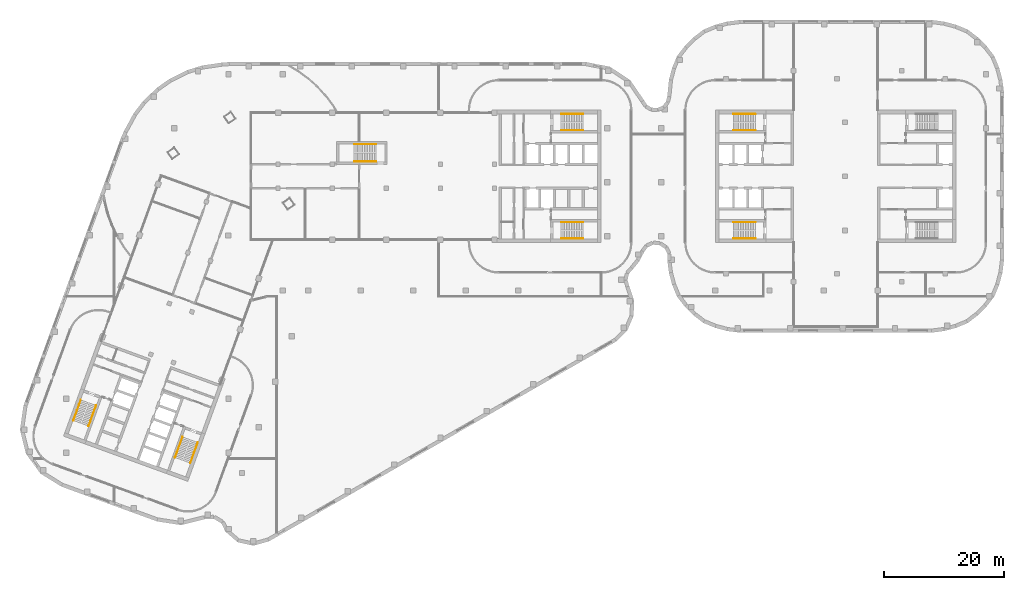
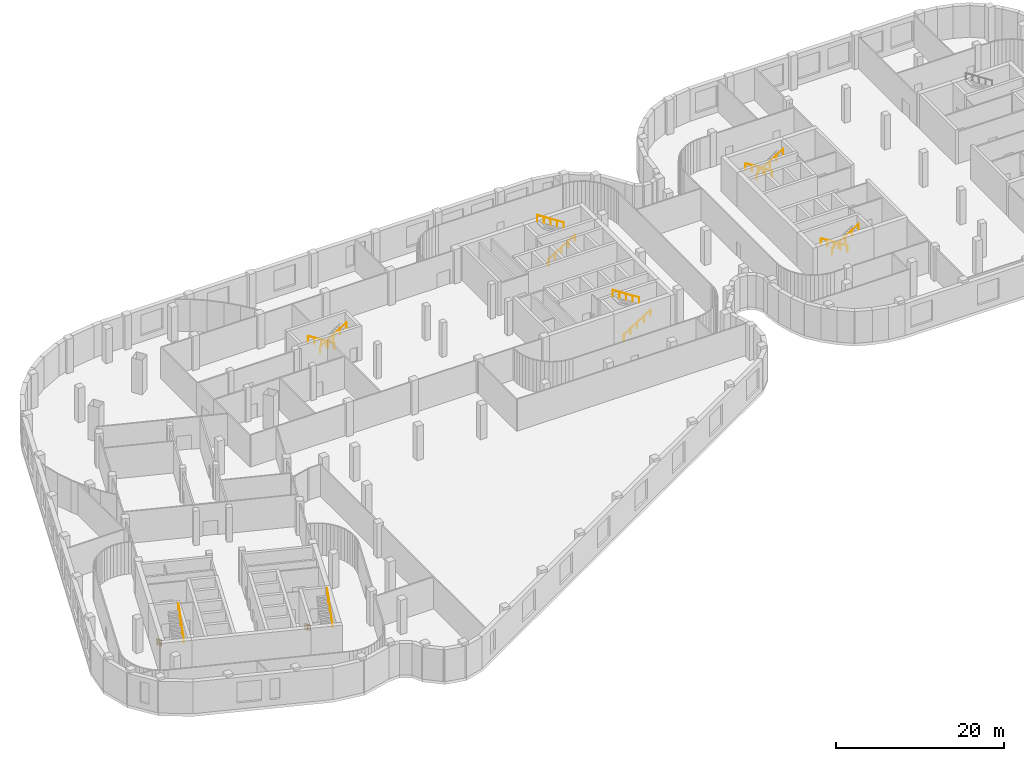
# One storey, part 17 of 18: 14 railings.
"""IFC4 building model written with IfcOpenShell, lengths in metres."""

import ifcopenshell
import ifcopenshell.guid

model = None  # the IFC model being written
_history = None  # IfcOwnerHistory: only IFC2X3 demands one
_inside = {}  # id of a spatial element -> (the spatial element, [elements in it])
_under = {}  # id of a project, library or spatial element -> (it, [spatial elements below it])
_declared = {}  # id of a project -> (the project, [libraries it declares])
_typed = {}  # id of a type object -> (the type object, [elements of that type])
_made_of = {}  # id of a material, layer set ... -> (it, [elements and type objects made of it])


def new_model(schema):
    """Start an empty IFC model of exactly this schema.

    Asked for "IFC4X3", IfcOpenShell would pick the latest addendum, in which some entities
    have other attributes; the version numbers below select the first issue.
    IFC2X3 requires an IfcOwnerHistory on every rooted entity: one is made here for all.
    """
    global model, _history
    if schema == "IFC4X3":
        model = ifcopenshell.file(schema_version=(4, 3, 0, 0))
    else:
        model = ifcopenshell.file(schema=schema)
    _inside.clear()
    _under.clear()
    _declared.clear()
    _typed.clear()
    _made_of.clear()
    _history = None
    if model.schema == "IFC2X3":
        org = make("IfcOrganization", Name="unknown")
        user = make(
            "IfcPersonAndOrganization",
            ThePerson=make("IfcPerson", FamilyName="unknown"),
            TheOrganization=org,
        )
        app = make(
            "IfcApplication",
            ApplicationDeveloper=org,
            Version="unknown",
            ApplicationFullName="unknown",
            ApplicationIdentifier="unknown",
        )
        _history = make(
            "IfcOwnerHistory",
            OwningUser=user,
            OwningApplication=app,
            ChangeAction="ADDED",
            CreationDate=0,
        )
    return model


def make(cls, **values):
    """One entity of the class cls with the attributes given. An attribute that is None is left unset."""
    return model.create_entity(
        cls, **{name: value for name, value in values.items() if value is not None}
    )


def rooted(cls, **values):
    """An entity with a GlobalId (a new one), such as an element, a storey or a relation."""
    return make(cls, GlobalId=ifcopenshell.guid.new(), OwnerHistory=_history, **values)


def si_unit(unit_type, name, prefix=None):
    """IfcSIUnit, for example si_unit("LENGTHUNIT", "METRE", prefix="MILLI")."""
    return make("IfcSIUnit", UnitType=unit_type, Prefix=prefix, Name=name)


def assignment(units):
    """IfcUnitAssignment: the units of a project."""
    return None if units is None else make("IfcUnitAssignment", Units=units)


def point(xyz):
    """IfcCartesianPoint."""
    return None if xyz is None else make("IfcCartesianPoint", Coordinates=xyz)


def direction(xyz):
    """IfcDirection."""
    return None if xyz is None else make("IfcDirection", DirectionRatios=xyz)


def frame(location, z_axis=None, x_axis=None):
    """IfcAxis2Placement3D, a coordinate frame: its origin and axes. An axis left out is left unset."""
    return make(
        "IfcAxis2Placement3D",
        Location=point(location),
        Axis=direction(z_axis),
        RefDirection=direction(x_axis),
    )


def frame_2d(location, x_axis=None):
    """IfcAxis2Placement2D, a coordinate frame in the plane: its origin and x axis."""
    return make(
        "IfcAxis2Placement2D", Location=point(location), RefDirection=direction(x_axis)
    )


def origin():
    """The frame at (0, 0, 0) with its axes left unset."""
    return frame((0.0, 0.0, 0.0))


def origin_2d():
    """The frame at (0, 0) in the plane with its x axis left unset."""
    return frame_2d((0.0, 0.0))


def place(relative_to, where):
    """IfcLocalPlacement: puts the frame where relative to a parent placement (None: the world)."""
    return make(
        "IfcLocalPlacement", PlacementRelTo=relative_to, RelativePlacement=where
    )


def context(
    kind, dimensions, precision=None, world=None, true_north=None, identifier=None
):
    """IfcGeometricRepresentationContext, for example the 3D "Model" context."""
    return make(
        "IfcGeometricRepresentationContext",
        ContextIdentifier=identifier,
        ContextType=kind,
        CoordinateSpaceDimension=dimensions,
        Precision=precision,
        WorldCoordinateSystem=world,
        TrueNorth=true_north,
    )


def subcontext(parent, identifier, kind, view, scale=None):
    """IfcGeometricRepresentationSubContext, for example "Body" below "Model"."""
    return make(
        "IfcGeometricRepresentationSubContext",
        ContextIdentifier=identifier,
        ContextType=kind,
        ParentContext=parent,
        TargetScale=scale,
        TargetView=view,
    )


def project(units=None, contexts=None):
    """IfcProject with its units and contexts."""
    return rooted(
        "IfcProject",
        Name="project",
        RepresentationContexts=contexts,
        UnitsInContext=assignment(units),
    )


def spatial(cls, under=None, at=None, **own):
    """A site, building, storey or space (cls), placed at a placement, below another one or the project."""
    s = rooted(cls, ObjectPlacement=at, **own)
    if under is not None:
        _under.setdefault(under.id(), (under, []))[1].append(s)
    return s


def profile(cls, at=None, kind="AREA", **sizes):
    """A parametric profile (cls). Its sizes go by their IFC names, for example OverallWidth=200.0."""
    return make(cls, ProfileType=kind, Position=at, **sizes)


def circle(**sizes):
    """IfcCircleProfileDef."""
    return profile("IfcCircleProfileDef", **sizes)


def extrude(swept, where, along, depth):
    """IfcExtrudedAreaSolid: the profile swept, set in the frame where, extruded along a direction by depth."""
    return make(
        "IfcExtrudedAreaSolid",
        SweptArea=swept,
        Position=where,
        ExtrudedDirection=direction(along),
        Depth=depth,
    )


def shape(context_of_items, identifier, shape_type, items):
    """IfcShapeRepresentation: the items that make up one representation, for example the "Body"."""
    return make(
        "IfcShapeRepresentation",
        ContextOfItems=context_of_items,
        RepresentationIdentifier=identifier,
        RepresentationType=shape_type,
        Items=items,
    )


def material(Name=None, Category=None):
    """IfcMaterial."""
    return make("IfcMaterial", Name=Name, Category=Category)


def made_of(thing, what):
    """Note that an element or type object is made of a material, layer set ...; save() writes the relation."""
    if what is not None:
        _made_of.setdefault(what.id(), (what, []))[1].append(thing)
    return thing


def type_object(cls, material=None, **own):
    """A type object (cls), such as IfcWallType, which elements share."""
    return made_of(rooted(cls, **own), material)


def element(
    cls,
    number,
    at=None,
    inside=None,
    cuts=None,
    type_object=None,
    material=None,
    context=None,
    identifier="Body",
    shape_type=None,
    held_by="IfcProductDefinitionShape",
    body=None,
    shapes=None,
    **own,
):
    """One element of the class cls, such as IfcWall. Its Tag is "e" and its number.

    at: its placement. inside: the storey or other place that contains it. cuts: it is an
    opening in that element (IfcRelVoidsElement). A single representation is given by context,
    identifier, shape_type and body (its items); several are given by shapes. held_by: the class
    of the entity that holds the representations. save() writes the other relations.
    """
    e = rooted(cls, Tag="e%d" % number, ObjectPlacement=at, **own)
    if body is not None:
        shapes = [shape(context, identifier, shape_type, body)]
    if shapes is not None:
        e.Representation = make(held_by, Representations=shapes)
    if inside is not None:
        _inside.setdefault(inside.id(), (inside, []))[1].append(e)
    if cuts is not None:
        rooted(
            "IfcRelVoidsElement", RelatingBuildingElement=cuts, RelatedOpeningElement=e
        )
    if type_object is not None:
        _typed.setdefault(type_object.id(), (type_object, []))[1].append(e)
    return made_of(e, material)


def aggregate(whole, parts):
    """IfcRelAggregates: a whole, such as a stair, and the parts it consists of."""
    return rooted("IfcRelAggregates", RelatingObject=whole, RelatedObjects=parts)


def save(model, path):
    """Write the relations noted so far, then the file.

    IfcRelAggregates (storeys below a building ...), IfcRelContainedInSpatialStructure (elements
    in a storey), IfcRelDefinesByType, IfcRelAssociatesMaterial and IfcRelDeclares: one each for
    every whole, place, type object, material and project.
    """
    for whole, parts in _under.values():
        aggregate(whole, parts)
    for where, things in _inside.values():
        rooted(
            "IfcRelContainedInSpatialStructure",
            RelatedElements=things,
            RelatingStructure=where,
        )
    for kind, things in _typed.values():
        rooted("IfcRelDefinesByType", RelatedObjects=things, RelatingType=kind)
    for what, things in _made_of.values():
        rooted("IfcRelAssociatesMaterial", RelatedObjects=things, RelatingMaterial=what)
    for by, libraries in _declared.values():
        rooted("IfcRelDeclares", RelatingContext=by, RelatedDefinitions=libraries)
    model.write(path)


model = new_model("IFC4")

# Units and contexts
model_context = context("Model", 3, precision=1e-05, world=origin(), true_north=direction((0.0, 1.0)))
body_context = subcontext(model_context, "Body", "Model", "MODEL_VIEW")
ifc_project = project(units=[si_unit("LENGTHUNIT", "METRE"), si_unit("AREAUNIT", "SQUARE_METRE"), si_unit("VOLUMEUNIT", "CUBIC_METRE"), si_unit("PLANEANGLEUNIT", "RADIAN"), si_unit("MASSUNIT", "GRAM", prefix="KILO")], contexts=[model_context])

# Site, building, storey
site_placement = place(None, origin())
site = spatial("IfcSite", under=ifc_project, at=site_placement, CompositionType="ELEMENT")
building_placement = place(site_placement, origin())
building = spatial("IfcBuilding", under=site, at=building_placement, Name="Skarvind Civic Tower", CompositionType="ELEMENT")
storey_placement = place(building_placement, frame((0.0, 0.0, 22.5)))
storey = spatial("IfcBuildingStorey", under=building, at=storey_placement, Name="L04", CompositionType="ELEMENT", Elevation=22.5)

# Railings
ifc_material = material(Name="Painted steel handrail", Category="steel")
railing_type = type_object("IfcRailingType", Name="Stair handrail 900", PredefinedType="HANDRAIL", material=ifc_material)
railing_1_placement = place(storey_placement, frame((101.35009765625, 135.64990234375, 0.178466796875)))
element("IfcRailing", 1, at=railing_1_placement, inside=storey, type_object=railing_type, Name="Stair handrail", PredefinedType="HANDRAIL", context=body_context, shape_type="SweptSolid", body=[
    extrude(circle(Radius=0.02392578125, at=origin_2d()), frame((0.0, 0.0, 0.8759765625), z_axis=(0.843111507901, 0.0, 0.53773877045), x_axis=(0.0, 1.0, 0.0)), (0.0, 0.0, 1.0), 4.317138671875),
    extrude(circle(Radius=0.02099609375, at=origin_2d()), origin(), (0.0, 0.0, 1.0), 0.851806640625),
    extrude(circle(Radius=0.02099609375, at=origin_2d()), frame((0.909912109375, 0.0, 0.580322265625)), (0.0, 0.0, 1.0), 0.851806640625),
    extrude(circle(Radius=0.02099609375, at=origin_2d()), frame((1.81982421875, 0.0, 1.16064453125)), (0.0, 0.0, 1.0), 0.851806640625),
    extrude(circle(Radius=0.02099609375, at=origin_2d()), frame((2.72998046875, 0.0, 1.7412109375)), (0.0, 0.0, 1.0), 0.851806640625),
    extrude(circle(Radius=0.02099609375, at=origin_2d()), frame((3.639892578125, 0.0, 2.321533203125)), (0.0, 0.0, 1.0), 0.851806640625),
])
railing_2_placement = place(storey_placement, frame((104.989990234375, 138.35009765625, 2.678466796875)))
element("IfcRailing", 2, at=railing_2_placement, inside=storey, type_object=railing_type, Name="Stair handrail", PredefinedType="HANDRAIL", context=body_context, shape_type="SweptSolid", body=[
    extrude(circle(Radius=0.02392578125, at=origin_2d()), frame((0.0, 0.0, 0.8759765625), z_axis=(-0.843111507901, 0.0, 0.53773877045), x_axis=(0.0, -1.0, 0.0)), (0.0, 0.0, 1.0), 4.317138671875),
    extrude(circle(Radius=0.02099609375, at=origin_2d()), origin(), (0.0, 0.0, 1.0), 0.851806640625),
    extrude(circle(Radius=0.02099609375, at=origin_2d()), frame((-0.909912109375, 0.0, 0.580322265625)), (0.0, 0.0, 1.0), 0.851806640625),
    extrude(circle(Radius=0.02099609375, at=origin_2d()), frame((-1.81982421875, 0.0, 1.16064453125)), (0.0, 0.0, 1.0), 0.851806640625),
    extrude(circle(Radius=0.02099609375, at=origin_2d()), frame((-2.72998046875, 0.0, 1.7412109375)), (0.0, 0.0, 1.0), 0.851806640625),
    extrude(circle(Radius=0.02099609375, at=origin_2d()), frame((-3.639892578125, 0.0, 2.321533203125)), (0.0, 0.0, 1.0), 0.851806640625),
])
railing_3_placement = place(storey_placement, frame((101.35009765625, 117.64990234375, 0.178466796875)))
element("IfcRailing", 3, at=railing_3_placement, inside=storey, type_object=railing_type, Name="Stair handrail", PredefinedType="HANDRAIL", context=body_context, shape_type="SweptSolid", body=[
    extrude(circle(Radius=0.02392578125, at=origin_2d()), frame((0.0, 0.0, 0.8759765625), z_axis=(0.843111507901, 0.0, 0.53773877045), x_axis=(0.0, 1.0, 0.0)), (0.0, 0.0, 1.0), 4.317138671875),
    extrude(circle(Radius=0.02099609375, at=origin_2d()), origin(), (0.0, 0.0, 1.0), 0.851806640625),
    extrude(circle(Radius=0.02099609375, at=origin_2d()), frame((0.909912109375, 0.0, 0.580322265625)), (0.0, 0.0, 1.0), 0.851806640625),
    extrude(circle(Radius=0.02099609375, at=origin_2d()), frame((1.81982421875, 0.0, 1.16064453125)), (0.0, 0.0, 1.0), 0.851806640625),
    extrude(circle(Radius=0.02099609375, at=origin_2d()), frame((2.72998046875, 0.0, 1.7412109375)), (0.0, 0.0, 1.0), 0.851806640625),
    extrude(circle(Radius=0.02099609375, at=origin_2d()), frame((3.639892578125, 0.0, 2.321533203125)), (0.0, 0.0, 1.0), 0.851806640625),
])
railing_4_placement = place(storey_placement, frame((104.989990234375, 120.35009765625, 2.678466796875)))
element("IfcRailing", 4, at=railing_4_placement, inside=storey, type_object=railing_type, Name="Stair handrail", PredefinedType="HANDRAIL", context=body_context, shape_type="SweptSolid", body=[
    extrude(circle(Radius=0.02392578125, at=origin_2d()), frame((0.0, 0.0, 0.8759765625), z_axis=(-0.843111507901, 0.0, 0.53773877045), x_axis=(0.0, -1.0, 0.0)), (0.0, 0.0, 1.0), 4.317138671875),
    extrude(circle(Radius=0.02099609375, at=origin_2d()), origin(), (0.0, 0.0, 1.0), 0.851806640625),
    extrude(circle(Radius=0.02099609375, at=origin_2d()), frame((-0.909912109375, 0.0, 0.580322265625)), (0.0, 0.0, 1.0), 0.851806640625),
    extrude(circle(Radius=0.02099609375, at=origin_2d()), frame((-1.81982421875, 0.0, 1.16064453125)), (0.0, 0.0, 1.0), 0.851806640625),
    extrude(circle(Radius=0.02099609375, at=origin_2d()), frame((-2.72998046875, 0.0, 1.7412109375)), (0.0, 0.0, 1.0), 0.851806640625),
    extrude(circle(Radius=0.02099609375, at=origin_2d()), frame((-3.639892578125, 0.0, 2.321533203125)), (0.0, 0.0, 1.0), 0.851806640625),
])
railing_5_placement = place(storey_placement, frame((38.362060546875, 84.64794921875, 0.178466796875)))
element("IfcRailing", 5, at=railing_5_placement, inside=storey, type_object=railing_type, Name="Stair handrail", PredefinedType="HANDRAIL", context=body_context, shape_type="SweptSolid", body=[
    extrude(circle(Radius=0.02392578125, at=origin_2d()), frame((0.0, 0.0, 0.8759765625), z_axis=(-0.288337369333, -0.792291602614, 0.537713285937), x_axis=(0.93970527225, -0.341985381714, 0.0)), (0.0, 0.0, 1.0), 4.3173828125),
    extrude(circle(Radius=0.02099609375, at=origin_2d()), origin(), (0.0, 0.0, 1.0), 0.851806640625),
    extrude(circle(Radius=0.02099609375, at=origin_2d()), frame((-0.311279296875, -0.855224609375, 0.580322265625)), (0.0, 0.0, 1.0), 0.851806640625),
    extrude(circle(Radius=0.02099609375, at=origin_2d()), frame((-0.62255859375, -1.71044921875, 1.16064453125)), (0.0, 0.0, 1.0), 0.851806640625),
    extrude(circle(Radius=0.02099609375, at=origin_2d()), frame((-0.93359375, -2.5654296875, 1.7412109375)), (0.0, 0.0, 1.0), 0.851806640625),
    extrude(circle(Radius=0.02099609375, at=origin_2d()), frame((-1.244873046875, -3.420654296875, 2.321533203125)), (0.0, 0.0, 1.0), 0.851806640625),
])
railing_6_placement = place(storey_placement, frame((39.654296875, 80.303955078125, 2.678466796875)))
element("IfcRailing", 6, at=railing_6_placement, inside=storey, type_object=railing_type, Name="Stair handrail", PredefinedType="HANDRAIL", context=body_context, shape_type="SweptSolid", body=[
    extrude(circle(Radius=0.02392578125, at=origin_2d()), frame((0.0, 0.0, 0.8759765625), z_axis=(0.288350287938, 0.792270549913, 0.537737377525), x_axis=(-0.939697427507, 0.342006936678, 0.0)), (0.0, 0.0, 1.0), 4.317138671875),
    extrude(circle(Radius=0.02099609375, at=origin_2d()), origin(), (0.0, 0.0, 1.0), 0.851806640625),
    extrude(circle(Radius=0.02099609375, at=origin_2d()), frame((0.311279296875, 0.85498046875, 0.580322265625)), (0.0, 0.0, 1.0), 0.851806640625),
    extrude(circle(Radius=0.02099609375, at=origin_2d()), frame((0.62255859375, 1.710205078125, 1.16064453125)), (0.0, 0.0, 1.0), 0.851806640625),
    extrude(circle(Radius=0.02099609375, at=origin_2d()), frame((0.93359375, 2.5654296875, 1.7412109375)), (0.0, 0.0, 1.0), 0.851806640625),
    extrude(circle(Radius=0.02099609375, at=origin_2d()), frame((1.244873046875, 3.42041015625, 2.321533203125)), (0.0, 0.0, 1.0), 0.851806640625),
])
railing_7_placement = place(storey_placement, frame((21.447509765625, 90.80419921875, 0.178466796875)))
element("IfcRailing", 7, at=railing_7_placement, inside=storey, type_object=railing_type, Name="Stair handrail", PredefinedType="HANDRAIL", context=body_context, shape_type="SweptSolid", body=[
    extrude(circle(Radius=0.02392578125, at=origin_2d()), frame((0.0, 0.0, 0.8759765625), z_axis=(-0.288350287938, -0.792270549913, 0.537737377525), x_axis=(0.939697427507, -0.342006936678, 0.0)), (0.0, 0.0, 1.0), 4.317138671875),
    extrude(circle(Radius=0.02099609375, at=origin_2d()), origin(), (0.0, 0.0, 1.0), 0.851806640625),
    extrude(circle(Radius=0.02099609375, at=origin_2d()), frame((-0.311279296875, -0.85498046875, 0.580322265625)), (0.0, 0.0, 1.0), 0.851806640625),
    extrude(circle(Radius=0.02099609375, at=origin_2d()), frame((-0.62255859375, -1.710205078125, 1.16064453125)), (0.0, 0.0, 1.0), 0.851806640625),
    extrude(circle(Radius=0.02099609375, at=origin_2d()), frame((-0.93359375, -2.5654296875, 1.7412109375)), (0.0, 0.0, 1.0), 0.851806640625),
    extrude(circle(Radius=0.02099609375, at=origin_2d()), frame((-1.244873046875, -3.42041015625, 2.321533203125)), (0.0, 0.0, 1.0), 0.851806640625),
])
railing_8_placement = place(storey_placement, frame((22.73974609375, 86.460205078125, 2.678466796875)))
element("IfcRailing", 8, at=railing_8_placement, inside=storey, type_object=railing_type, Name="Stair handrail", PredefinedType="HANDRAIL", context=body_context, shape_type="SweptSolid", body=[
    extrude(circle(Radius=0.02392578125, at=origin_2d()), frame((0.0, 0.0, 0.8759765625), z_axis=(0.288389214594, 0.792278683466, 0.537704517956), x_axis=(-0.939683717183, 0.342044604784, 0.0)), (0.0, 0.0, 1.0), 4.3173828125),
    extrude(circle(Radius=0.02099609375, at=origin_2d()), origin(), (0.0, 0.0, 1.0), 0.851806640625),
    extrude(circle(Radius=0.02099609375, at=origin_2d()), frame((0.311279296875, 0.855224609375, 0.580322265625)), (0.0, 0.0, 1.0), 0.851806640625),
    extrude(circle(Radius=0.02099609375, at=origin_2d()), frame((0.62255859375, 1.71044921875, 1.16064453125)), (0.0, 0.0, 1.0), 0.851806640625),
    extrude(circle(Radius=0.02099609375, at=origin_2d()), frame((0.933837890625, 2.5654296875, 1.7412109375)), (0.0, 0.0, 1.0), 0.851806640625),
    extrude(circle(Radius=0.02099609375, at=origin_2d()), frame((1.2451171875, 3.420654296875, 2.321533203125)), (0.0, 0.0, 1.0), 0.851806640625),
])
railing_9_placement = place(storey_placement, frame((133.64990234375, 120.35009765625, 0.178466796875)))
element("IfcRailing", 9, at=railing_9_placement, inside=storey, type_object=railing_type, Name="Stair handrail", PredefinedType="HANDRAIL", context=body_context, shape_type="SweptSolid", body=[
    extrude(circle(Radius=0.02392578125, at=origin_2d()), frame((0.0, 0.0, 0.8759765625), z_axis=(-0.843111507901, 0.0, 0.53773877045), x_axis=(0.0, -1.0, 0.0)), (0.0, 0.0, 1.0), 4.317138671875),
    extrude(circle(Radius=0.02099609375, at=origin_2d()), origin(), (0.0, 0.0, 1.0), 0.851806640625),
    extrude(circle(Radius=0.02099609375, at=origin_2d()), frame((-0.909912109375, 0.0, 0.580322265625)), (0.0, 0.0, 1.0), 0.851806640625),
    extrude(circle(Radius=0.02099609375, at=origin_2d()), frame((-1.81982421875, 0.0, 1.16064453125)), (0.0, 0.0, 1.0), 0.851806640625),
    extrude(circle(Radius=0.02099609375, at=origin_2d()), frame((-2.72998046875, 0.0, 1.7412109375)), (0.0, 0.0, 1.0), 0.851806640625),
    extrude(circle(Radius=0.02099609375, at=origin_2d()), frame((-3.639892578125, 0.0, 2.321533203125)), (0.0, 0.0, 1.0), 0.851806640625),
])
railing_10_placement = place(storey_placement, frame((130.010009765625, 117.64990234375, 2.678466796875)))
element("IfcRailing", 10, at=railing_10_placement, inside=storey, type_object=railing_type, Name="Stair handrail", PredefinedType="HANDRAIL", context=body_context, shape_type="SweptSolid", body=[
    extrude(circle(Radius=0.02392578125, at=origin_2d()), frame((0.0, 0.0, 0.8759765625), z_axis=(0.843111507901, 0.0, 0.53773877045), x_axis=(0.0, 1.0, 0.0)), (0.0, 0.0, 1.0), 4.317138671875),
    extrude(circle(Radius=0.02099609375, at=origin_2d()), origin(), (0.0, 0.0, 1.0), 0.851806640625),
    extrude(circle(Radius=0.02099609375, at=origin_2d()), frame((0.909912109375, 0.0, 0.580322265625)), (0.0, 0.0, 1.0), 0.851806640625),
    extrude(circle(Radius=0.02099609375, at=origin_2d()), frame((1.81982421875, 0.0, 1.16064453125)), (0.0, 0.0, 1.0), 0.851806640625),
    extrude(circle(Radius=0.02099609375, at=origin_2d()), frame((2.72998046875, 0.0, 1.7412109375)), (0.0, 0.0, 1.0), 0.851806640625),
    extrude(circle(Radius=0.02099609375, at=origin_2d()), frame((3.639892578125, 0.0, 2.321533203125)), (0.0, 0.0, 1.0), 0.851806640625),
])
railing_11_placement = place(storey_placement, frame((133.64990234375, 138.35009765625, 0.178466796875)))
element("IfcRailing", 11, at=railing_11_placement, inside=storey, type_object=railing_type, Name="Stair handrail", PredefinedType="HANDRAIL", context=body_context, shape_type="SweptSolid", body=[
    extrude(circle(Radius=0.02392578125, at=origin_2d()), frame((0.0, 0.0, 0.8759765625), z_axis=(-0.843111507901, 0.0, 0.53773877045), x_axis=(0.0, -1.0, 0.0)), (0.0, 0.0, 1.0), 4.317138671875),
    extrude(circle(Radius=0.02099609375, at=origin_2d()), origin(), (0.0, 0.0, 1.0), 0.851806640625),
    extrude(circle(Radius=0.02099609375, at=origin_2d()), frame((-0.909912109375, 0.0, 0.580322265625)), (0.0, 0.0, 1.0), 0.851806640625),
    extrude(circle(Radius=0.02099609375, at=origin_2d()), frame((-1.81982421875, 0.0, 1.16064453125)), (0.0, 0.0, 1.0), 0.851806640625),
    extrude(circle(Radius=0.02099609375, at=origin_2d()), frame((-2.72998046875, 0.0, 1.7412109375)), (0.0, 0.0, 1.0), 0.851806640625),
    extrude(circle(Radius=0.02099609375, at=origin_2d()), frame((-3.639892578125, 0.0, 2.321533203125)), (0.0, 0.0, 1.0), 0.851806640625),
])
railing_12_placement = place(storey_placement, frame((130.010009765625, 135.64990234375, 2.678466796875)))
element("IfcRailing", 12, at=railing_12_placement, inside=storey, type_object=railing_type, Name="Stair handrail", PredefinedType="HANDRAIL", context=body_context, shape_type="SweptSolid", body=[
    extrude(circle(Radius=0.02392578125, at=origin_2d()), frame((0.0, 0.0, 0.8759765625), z_axis=(0.843111507901, 0.0, 0.53773877045), x_axis=(0.0, 1.0, 0.0)), (0.0, 0.0, 1.0), 4.317138671875),
    extrude(circle(Radius=0.02099609375, at=origin_2d()), origin(), (0.0, 0.0, 1.0), 0.851806640625),
    extrude(circle(Radius=0.02099609375, at=origin_2d()), frame((0.909912109375, 0.0, 0.580322265625)), (0.0, 0.0, 1.0), 0.851806640625),
    extrude(circle(Radius=0.02099609375, at=origin_2d()), frame((1.81982421875, 0.0, 1.16064453125)), (0.0, 0.0, 1.0), 0.851806640625),
    extrude(circle(Radius=0.02099609375, at=origin_2d()), frame((2.72998046875, 0.0, 1.7412109375)), (0.0, 0.0, 1.0), 0.851806640625),
    extrude(circle(Radius=0.02099609375, at=origin_2d()), frame((3.639892578125, 0.0, 2.321533203125)), (0.0, 0.0, 1.0), 0.851806640625),
])
railing_13_placement = place(storey_placement, frame((70.550048828125, 133.35009765625, 0.178466796875)))
element("IfcRailing", 13, at=railing_13_placement, inside=storey, type_object=railing_type, Name="Stair handrail", PredefinedType="HANDRAIL", context=body_context, shape_type="SweptSolid", body=[
    extrude(circle(Radius=0.02392578125, at=origin_2d()), frame((0.0, 0.0, 0.8759765625), z_axis=(-0.843127859045, 0.0, 0.537713132908), x_axis=(0.0, -1.0, 0.0)), (0.0, 0.0, 1.0), 4.3173828125),
    extrude(circle(Radius=0.02099609375, at=origin_2d()), origin(), (0.0, 0.0, 1.0), 0.851806640625),
    extrude(circle(Radius=0.02099609375, at=origin_2d()), frame((-0.91015625, 0.0, 0.580322265625)), (0.0, 0.0, 1.0), 0.851806640625),
    extrude(circle(Radius=0.02099609375, at=origin_2d()), frame((-1.820068359375, 0.0, 1.16064453125)), (0.0, 0.0, 1.0), 0.851806640625),
    extrude(circle(Radius=0.02099609375, at=origin_2d()), frame((-2.72998046875, 0.0, 1.7412109375)), (0.0, 0.0, 1.0), 0.851806640625),
    extrude(circle(Radius=0.02099609375, at=origin_2d()), frame((-3.64013671875, 0.0, 2.321533203125)), (0.0, 0.0, 1.0), 0.851806640625),
])
railing_14_placement = place(storey_placement, frame((66.909912109375, 130.449951171875, 2.678466796875)))
element("IfcRailing", 14, at=railing_14_placement, inside=storey, type_object=railing_type, Name="Stair handrail", PredefinedType="HANDRAIL", context=body_context, shape_type="SweptSolid", body=[
    extrude(circle(Radius=0.02392578125, at=origin_2d()), frame((0.0, 0.0, 0.8759765625), z_axis=(0.843127859045, 0.0, 0.537713132908), x_axis=(0.0, 1.0, 0.0)), (0.0, 0.0, 1.0), 4.3173828125),
    extrude(circle(Radius=0.02099609375, at=origin_2d()), origin(), (0.0, 0.0, 1.0), 0.851806640625),
    extrude(circle(Radius=0.02099609375, at=origin_2d()), frame((0.91015625, 0.0, 0.580322265625)), (0.0, 0.0, 1.0), 0.851806640625),
    extrude(circle(Radius=0.02099609375, at=origin_2d()), frame((1.820068359375, 0.0, 1.16064453125)), (0.0, 0.0, 1.0), 0.851806640625),
    extrude(circle(Radius=0.02099609375, at=origin_2d()), frame((2.72998046875, 0.0, 1.7412109375)), (0.0, 0.0, 1.0), 0.851806640625),
    extrude(circle(Radius=0.02099609375, at=origin_2d()), frame((3.64013671875, 0.0, 2.321533203125)), (0.0, 0.0, 1.0), 0.851806640625),
])

save(model, "model.ifc")
